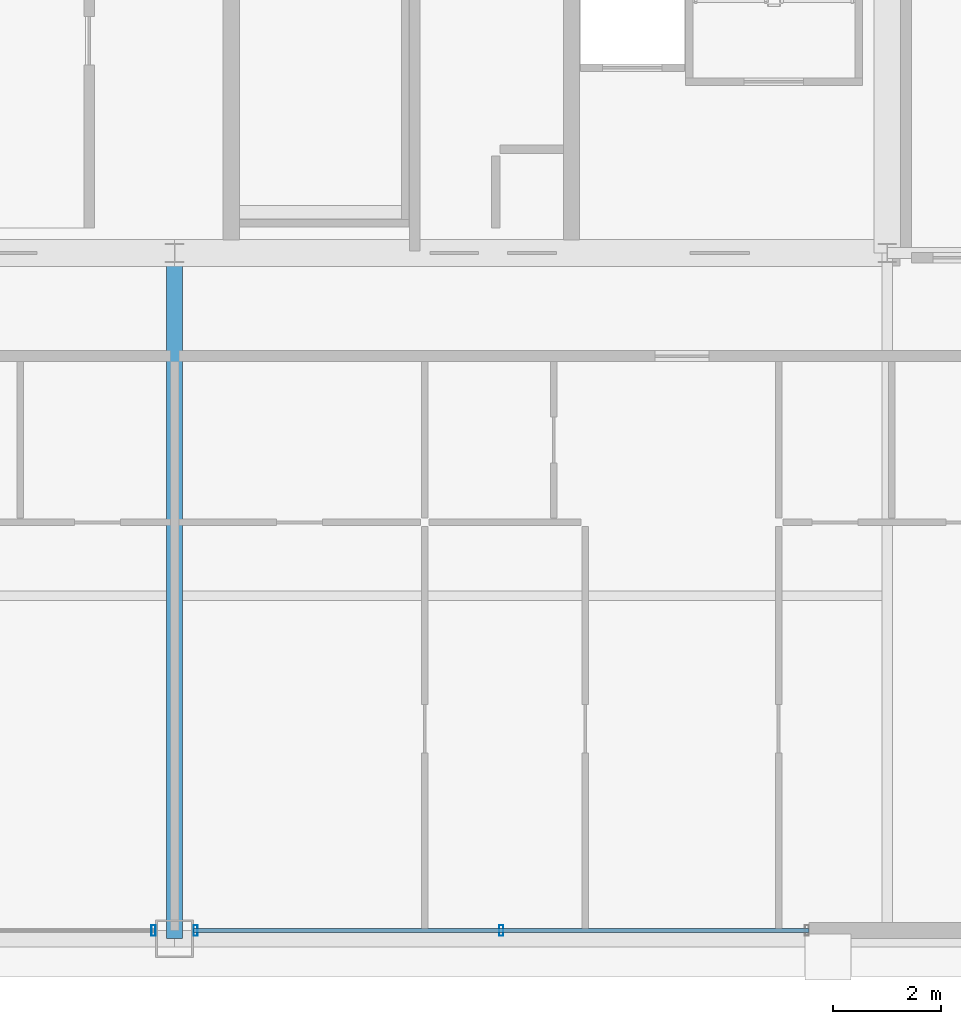
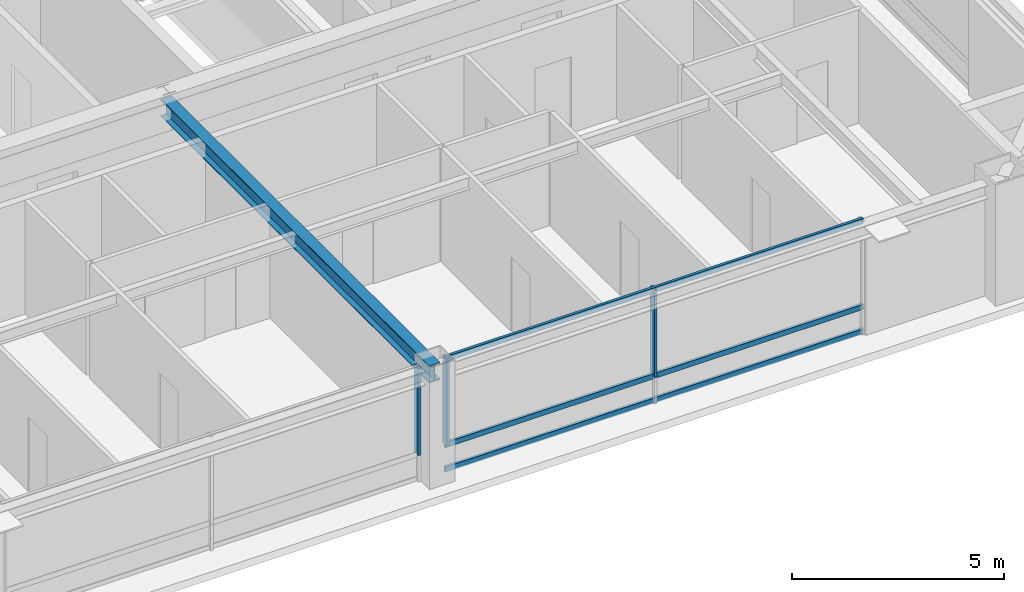
# One storey, part 8 of 34: 6 members, 1 beam, 2 elements without a shape of their own.
"""IFC4 building model written with IfcOpenShell, lengths in metres."""

from ifc_helpers import new_model, si_unit, direction, frame, origin, origin_2d, place, context, subcontext, project, spatial, hollow_rectangle, i_section, extrude, source, transform, mapped, material, layer, layer_set, material_profile, profile_set, type_object, element, aggregate, save


model = new_model("IFC4")

# Units and contexts
model_context = context("Model", 3, precision=1e-05, world=origin(), true_north=direction((0.0, 1.0)))
body_context = subcontext(model_context, "Body", "Model", "MODEL_VIEW")
ifc_project = project(units=[si_unit("LENGTHUNIT", "METRE"), si_unit("AREAUNIT", "SQUARE_METRE"), si_unit("VOLUMEUNIT", "CUBIC_METRE"), si_unit("PLANEANGLEUNIT", "RADIAN"), si_unit("MASSUNIT", "GRAM", prefix="KILO"), si_unit("THERMODYNAMICTEMPERATUREUNIT", "KELVIN"), si_unit("POWERUNIT", "WATT")], contexts=[model_context])

# Site, building, storey
site_placement = place(None, origin())
site = spatial("IfcSite", under=ifc_project, at=site_placement, CompositionType="ELEMENT")
building_placement = place(site_placement, origin())
building = spatial("IfcBuilding", under=site, at=building_placement, Name="Yuzanri Waterfront Tower", CompositionType="ELEMENT")
storey_placement = place(building_placement, frame((0.0, 0.0, 325.199951171875)))
storey = spatial("IfcBuildingStorey", under=building, at=storey_placement, Name="L87", CompositionType="ELEMENT", Elevation=325.199951171875)

# Beam
ifc_material_1 = material(Name="Steel Q355B", Category="steel")
ifc_material_profile_1 = material_profile(ifc_material_1, i_section(OverallWidth=0.300048828125, OverallDepth=0.488037109375, WebThickness=0.010986328125, FlangeThickness=0.01806640625, at=origin_2d()), Name="HM 488x300x11x18")
ifc_profile_set_1 = profile_set([ifc_material_profile_1], Name="Steel Q355B")
beam_type = type_object("IfcBeamType", Name="Primary Floor Girder Q355B HM 488x300", PredefinedType="BEAM", material=ifc_profile_set_1)
shared_shape_1 = source(origin(), body_context, "Body", "SweptSolid", [
    extrude(i_section(OverallWidth=0.300048828125, OverallDepth=0.488037109375, WebThickness=0.010986328125, FlangeThickness=0.01806640625, at=origin_2d()), origin(), (0.0, 0.0, 1.0), 12.699951171875),
])
beam_placement = place(storey_placement, frame((37.0, 19.39990234375, 3.0361328125), z_axis=(0.0, -1.0, 0.0), x_axis=(1.0, 0.0, 0.0)))
element("IfcBeam", 1, at=beam_placement, inside=storey, type_object=beam_type, Name="L87 South Grid Girder", PredefinedType="BEAM", context=body_context, shape_type="MappedRepresentation", body=[
    mapped(shared_shape_1, transform((0.0, 0.0, 0.0), scale=1.0)),
])

# Curtain wall, member
ifc_material_2 = material(Name="Anodized Architectural Bronze", Category="metal")
ifc_layer = layer(ifc_material_2, 0.159912109375)
ifc_layer_set = layer_set([ifc_layer], Name="Anodized Architectural Bronze")
curtain_wall_type = type_object("IfcCurtainWallType", Name="Anodized Bronze High-Rise Penthouse High-Wind Unitized Curtain Wall 6900", PredefinedType="NOTDEFINED", material=ifc_layer_set)
curtain_wall_1_placement = place(storey_placement, origin())
curtain_wall_1 = element("IfcCurtainWall", 2, at=curtain_wall_1_placement, inside=storey, type_object=curtain_wall_type, Name="L87 Curtain Wall CW-L87-SL", PredefinedType="NOTDEFINED")
ifc_material_3 = material(Name="Anodized Architectural Bronze", Category="metal")
ifc_material_profile_2 = material_profile(ifc_material_3, hollow_rectangle(XDim=0.074951171875, YDim=0.199951171875, WallThickness=0.00390625, at=origin_2d()), Name="CWM 75x200")
ifc_profile_set_2 = profile_set([ifc_material_profile_2], Name="Anodized Architectural Bronze")
member_type_1 = type_object("IfcMemberType", Name="Anodized Bronze Primary Curtain-Wall Mullion 75x200", PredefinedType="MULLION", material=ifc_profile_set_2)
shared_shape_2 = source(origin(), body_context, "Body", "SweptSolid", [
    extrude(hollow_rectangle(XDim=0.074951171875, YDim=0.199951171875, WallThickness=0.00390625, at=origin_2d()), origin(), (0.0, 0.0, 1.0), 2.52392578125),
])
member_1_placement = place(storey_placement, frame((36.610107421875, 6.85009765625, 0.756103515625), z_axis=(0.0, 0.0, 1.0), x_axis=(1.0, 0.0, 0.0)))
member_1 = element("IfcMember", 3, at=member_1_placement, type_object=member_type_1, Name="CW-L87-SL Upper Mullion 02", PredefinedType="MULLION", context=body_context, shape_type="MappedRepresentation", body=[
    mapped(shared_shape_2, transform((0.0, 0.0, 0.0), scale=1.0)),
])
aggregate(curtain_wall_1, [member_1])

# Curtain wall, members
curtain_wall_2_placement = place(storey_placement, origin())
curtain_wall_2 = element("IfcCurtainWall", 4, at=curtain_wall_2_placement, inside=storey, type_object=curtain_wall_type, Name="L87 Curtain Wall CW-L87-SR", PredefinedType="NOTDEFINED")
member_2_placement = place(storey_placement, frame((37.389892578125, 6.85009765625, 0.756103515625), z_axis=(0.0, 0.0, 1.0), x_axis=(1.0, 0.0, 0.0)))
member_2 = element("IfcMember", 5, at=member_2_placement, type_object=member_type_1, Name="CW-L87-SR Upper Mullion 00", PredefinedType="MULLION", context=body_context, shape_type="MappedRepresentation", body=[
    mapped(shared_shape_2, transform((0.0, 0.0, 0.0), scale=1.0)),
])
member_3_placement = place(storey_placement, frame((43.050048828125, 6.85009765625, 0.756103515625), z_axis=(0.0, 0.0, 1.0), x_axis=(1.0, 0.0, 0.0)))
member_3 = element("IfcMember", 6, at=member_3_placement, type_object=member_type_1, Name="CW-L87-SR Upper Mullion 01", PredefinedType="MULLION", context=body_context, shape_type="MappedRepresentation", body=[
    mapped(shared_shape_2, transform((0.0, 0.0, 0.0), scale=1.0)),
])
ifc_material_4 = material(Name="Anodized Architectural Bronze", Category="metal")
ifc_material_profile_3 = material_profile(ifc_material_4, hollow_rectangle(XDim=0.074951171875, YDim=0.14990234375, WallThickness=0.00390625, at=origin_2d()), Name="CWT 75x150")
ifc_profile_set_3 = profile_set([ifc_material_profile_3], Name="Anodized Architectural Bronze")
member_type_2 = type_object("IfcMemberType", Name="Anodized Bronze Primary Curtain-Wall Transom 75x150", PredefinedType="USERDEFINED", material=ifc_profile_set_3)
shared_shape_3 = source(origin(), body_context, "Body", "SweptSolid", [
    extrude(hollow_rectangle(XDim=0.074951171875, YDim=0.14990234375, WallThickness=0.00390625, at=origin_2d()), origin(), (0.0, 0.0, 1.0), 11.39990234375),
])
member_4_placement = place(storey_placement, frame((37.35009765625, 6.85009765625, 0.050048828125), z_axis=(1.0, 0.0, 0.0), x_axis=(0.0, 1.0, 0.0)))
member_4 = element("IfcMember", 7, at=member_4_placement, type_object=member_type_2, Name="CW-L87-SR Transom 1", ObjectType="TRANSOM", PredefinedType="USERDEFINED", context=body_context, shape_type="MappedRepresentation", body=[
    mapped(shared_shape_3, transform((0.0, 0.0, 0.0), scale=1.0)),
])
member_5_placement = place(storey_placement, frame((37.35009765625, 6.85009765625, 0.754150390625), z_axis=(1.0, 0.0, 0.0), x_axis=(0.0, 1.0, 0.0)))
member_5 = element("IfcMember", 8, at=member_5_placement, type_object=member_type_2, Name="CW-L87-SR Transom 2", ObjectType="TRANSOM", PredefinedType="USERDEFINED", context=body_context, shape_type="MappedRepresentation", body=[
    mapped(shared_shape_3, transform((0.0, 0.0, 0.0), scale=1.0)),
])
member_6_placement = place(storey_placement, frame((37.35009765625, 6.85009765625, 3.22998046875), z_axis=(1.0, 0.0, 0.0), x_axis=(0.0, 1.0, 0.0)))
member_6 = element("IfcMember", 9, at=member_6_placement, type_object=member_type_2, Name="CW-L87-SR Transom 3", ObjectType="TRANSOM", PredefinedType="USERDEFINED", context=body_context, shape_type="MappedRepresentation", body=[
    mapped(shared_shape_3, transform((0.0, 0.0, 0.0), scale=1.0)),
])
aggregate(curtain_wall_2, [member_2, member_3, member_4, member_5, member_6])

save(model, "model.ifc")
